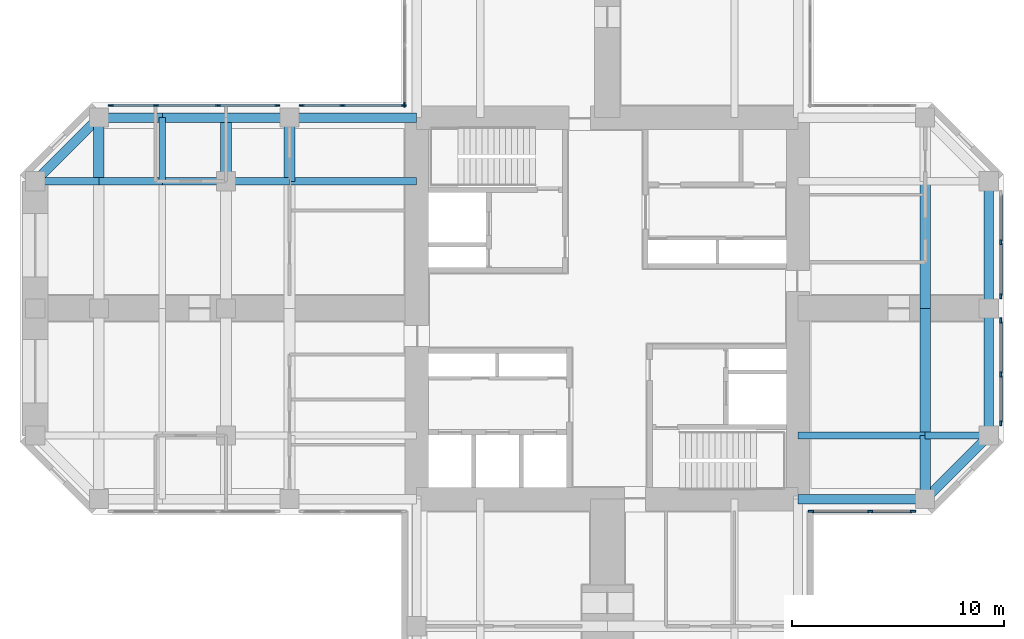
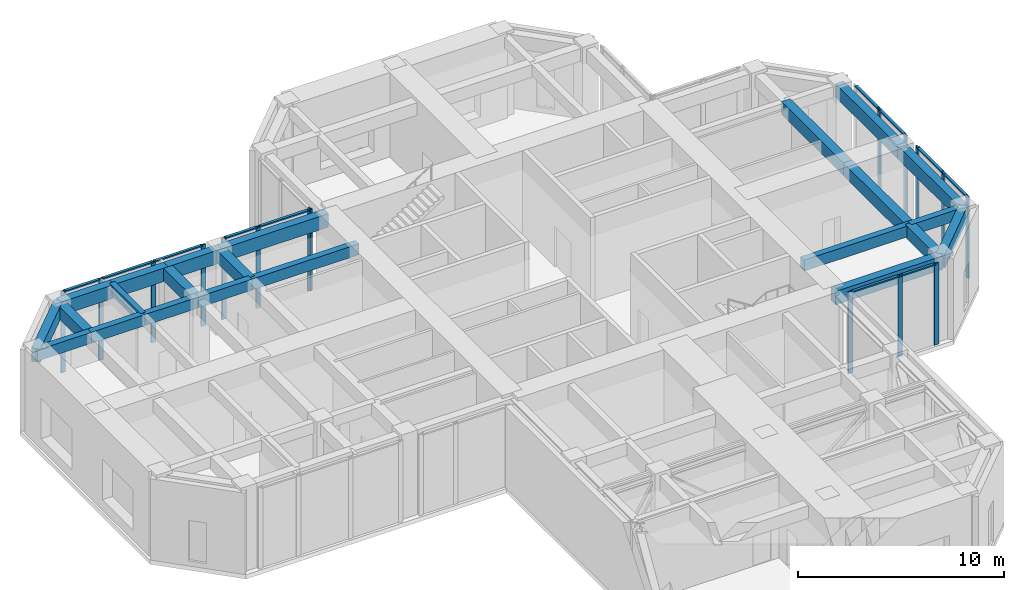
# One storey, part 3 of 10: 27 members, 23 beams, 4 elements without a shape of their own.
"""IFC4 building model written with IfcOpenShell, lengths in metres."""

from ifc_helpers import new_model, si_unit, direction, frame, origin, origin_2d, place, context, subcontext, project, spatial, rectangle, extrude, material, material_profile, profile_set, type_object, element, aggregate, save


model = new_model("IFC4")

# Units and contexts
model_context = context("Model", 3, precision=1e-05, world=origin(), true_north=direction((0.0, 1.0)))
body_context = subcontext(model_context, "Body", "Model", "MODEL_VIEW")
ifc_project = project(units=[si_unit("LENGTHUNIT", "METRE"), si_unit("AREAUNIT", "SQUARE_METRE"), si_unit("VOLUMEUNIT", "CUBIC_METRE"), si_unit("PLANEANGLEUNIT", "RADIAN"), si_unit("MASSUNIT", "GRAM", prefix="KILO")], contexts=[model_context])

# Site, building, storey
site_placement = place(None, origin())
site = spatial("IfcSite", under=ifc_project, at=site_placement, CompositionType="ELEMENT")
building_placement = place(site_placement, origin())
building = spatial("IfcBuilding", under=site, at=building_placement, Name="Torre Cruceta", CompositionType="ELEMENT")
storey_placement = place(building_placement, frame((0.0, 0.0, 217.10009765625)))
storey = spatial("IfcBuildingStorey", under=building, at=storey_placement, Name="L55", CompositionType="ELEMENT", Elevation=217.10009765625)

# Beams
ifc_material_1 = material(Name="Concrete G60 (fck 60 MPa)", Category="concrete")
ifc_material_profile_1 = material_profile(ifc_material_1, rectangle(XDim=0.35009765625, YDim=0.64990234375, at=origin_2d()), Name="RC 350X650")
ifc_profile_set_1 = profile_set([ifc_material_profile_1], Name="Concrete G60 (fck 60 MPa)")
beam_type_1 = type_object("IfcBeamType", Name="COLUMN LINE BEAM RC 350X650", PredefinedType="BEAM", material=ifc_profile_set_1)
beam_1_placement = place(storey_placement, frame((9.0, -6.0, 4.494873046875), z_axis=(1.0, 0.0, 0.0), x_axis=(0.0, 1.0, 0.0)))
element("IfcBeam", 1, at=beam_1_placement, inside=storey, type_object=beam_type_1, Name="LB7 L55 E col- 1", PredefinedType="BEAM", context=body_context, shape_type="SweptSolid", body=[
    extrude(rectangle(XDim=0.35009765625, YDim=0.64990234375, at=origin_2d()), origin(), (0.0, 0.0, 1.0), 6.0),
])
beam_2_placement = place(storey_placement, frame((15.0, -6.0, 4.494873046875), z_axis=(1.0, 0.0, 0.0), x_axis=(0.0, 1.0, 0.0)))
element("IfcBeam", 2, at=beam_2_placement, inside=storey, type_object=beam_type_1, Name="LB7 L55 E col- 2", PredefinedType="BEAM", context=body_context, shape_type="SweptSolid", body=[
    extrude(rectangle(XDim=0.35009765625, YDim=0.64990234375, at=origin_2d()), origin(), (0.0, 0.0, 1.0), 3.0),
])
beam_3_placement = place(storey_placement, frame((-9.0, 6.0, 4.494873046875), z_axis=(-1.0, 0.0, 0.0), x_axis=(0.0, -1.0, 0.0)))
element("IfcBeam", 3, at=beam_3_placement, inside=storey, type_object=beam_type_1, Name="LB7 L55 W col- 1", PredefinedType="BEAM", context=body_context, shape_type="SweptSolid", body=[
    extrude(rectangle(XDim=0.35009765625, YDim=0.64990234375, at=origin_2d()), origin(), (0.0, 0.0, 1.0), 6.0),
])
for number, where, z_axis, x_axis, name in (
    (4, (-15.0, 6.0, 4.494873046875), (-1.0, 0.0, 0.0), (0.0, -1.0, 0.0), "LB7 L55 W col- 2"),
    (5, (-18.0, 6.0, 4.494873046875), (-1.0, 0.0, 0.0), (0.0, -1.0, 0.0), "LB7 L55 W col- 3"),
    (6, (-21.0, 6.0, 4.494873046875), (-1.0, 0.0, 0.0), (0.0, -1.0, 0.0), "LB7 L55 W col- 4"),
    (7, (-24.0, 6.0, 4.494873046875), (-1.0, 0.0, 0.0), (0.0, -1.0, 0.0), "LB7 L55 W col- 5"),
):
    element("IfcBeam", number, at=place(storey_placement, frame(where, z_axis=z_axis, x_axis=x_axis)), inside=storey, type_object=beam_type_1, Name=name, PredefinedType="BEAM", context=body_context, shape_type="SweptSolid", body=[
        extrude(rectangle(XDim=0.35009765625, YDim=0.64990234375, at=origin_2d()), origin(), (0.0, 0.0, 1.0), 3.0),
    ])
ifc_material_2 = material(Name="Concrete G60 (fck 60 MPa)", Category="concrete")
ifc_material_profile_2 = material_profile(ifc_material_2, rectangle(XDim=0.5, YDim=0.75, at=origin_2d()), Name="RC 500X750")
ifc_profile_set_2 = profile_set([ifc_material_profile_2], Name="Concrete G60 (fck 60 MPa)")
beam_type_2 = type_object("IfcBeamType", Name="CROSS BEAM RC 500X750", PredefinedType="BEAM", material=ifc_profile_set_2)
beam_4_placement = place(storey_placement, frame((15.0, -9.0, 4.44482421875), z_axis=(0.0, 1.0, 0.0), x_axis=(-1.0, 0.0, 0.0)))
element("IfcBeam", 8, at=beam_4_placement, inside=storey, type_object=beam_type_2, Name="GB6 L55 E cross15 1", PredefinedType="BEAM", context=body_context, shape_type="SweptSolid", body=[
    extrude(rectangle(XDim=0.5, YDim=0.75, at=origin_2d()), origin(), (0.0, 0.0, 1.0), 3.0),
])
for number, where, z_axis, x_axis, name in (
    (9, (15.0, -6.0, 4.44482421875), (0.0, 1.0, 0.0), (-1.0, 0.0, 0.0), "GB6 L55 E cross15 2"),
    (10, (15.0, 0.0, 4.44482421875), (0.0, 1.0, 0.0), (-1.0, 0.0, 0.0), "GB6 L55 E cross15 3"),
):
    element("IfcBeam", number, at=place(storey_placement, frame(where, z_axis=z_axis, x_axis=x_axis)), inside=storey, type_object=beam_type_2, Name=name, PredefinedType="BEAM", context=body_context, shape_type="SweptSolid", body=[
        extrude(rectangle(XDim=0.5, YDim=0.75, at=origin_2d()), origin(), (0.0, 0.0, 1.0), 6.0),
    ])
for number, where, z_axis, x_axis, name in (
    (11, (-15.0, 9.0, 4.44482421875), (0.0, -1.0, 0.0), (1.0, 0.0, 0.0), "GB6 L55 W cross15 1"),
    (12, (-18.0, 9.0, 4.44482421875), (0.0, -1.0, 0.0), (1.0, 0.0, 0.0), "GB6 L55 W cross18 1"),
    (13, (-24.0, 9.0, 4.44482421875), (0.0, -1.0, 0.0), (1.0, 0.0, 0.0), "GB6 L55 W cross24 1"),
):
    element("IfcBeam", number, at=place(storey_placement, frame(where, z_axis=z_axis, x_axis=x_axis)), inside=storey, type_object=beam_type_2, Name=name, PredefinedType="BEAM", context=body_context, shape_type="SweptSolid", body=[
        extrude(rectangle(XDim=0.5, YDim=0.75, at=origin_2d()), origin(), (0.0, 0.0, 1.0), 3.0),
    ])

# Curtain wall, members
ifc_material_3 = material(Name="Aluminium unitised curtain wall", Category="aluminium")
curtain_wall_type = type_object("IfcCurtainWallType", Name="CURTAIN WALL CW-S SKY GARDEN", PredefinedType="USERDEFINED", material=ifc_material_3)
curtain_wall_1_placement = place(storey_placement, origin())
curtain_wall_1 = element("IfcCurtainWall", 14, at=curtain_wall_1_placement, inside=storey, type_object=curtain_wall_type, Name="CW-S L55 E side 00", ObjectType="UNITISED", PredefinedType="USERDEFINED")
ifc_material_4 = material(Name="Aluminium mullion", Category="aluminium")
ifc_material_profile_3 = material_profile(ifc_material_4, rectangle(XDim=0.080078125, YDim=0.25, at=origin_2d()), Name="AL 80X250")
ifc_profile_set_3 = profile_set([ifc_material_profile_3], Name="Aluminium mullion")
member_type_1 = type_object("IfcMemberType", Name="CW-S MULLION 80X250", PredefinedType="MULLION", material=ifc_profile_set_3)
member_1_placement = place(storey_placement, frame((9.610107421875, -9.570068359375, 0.0), z_axis=(0.0, 0.0, 1.0), x_axis=(0.0, 1.0, 0.0)))
member_1 = element("IfcMember", 15, at=member_1_placement, type_object=member_type_1, Name="CW-S mullion 1", PredefinedType="MULLION", context=body_context, shape_type="SweptSolid", body=[
    extrude(rectangle(XDim=0.080078125, YDim=0.25, at=origin_2d()), origin(), (0.0, 0.0, 1.0), 4.81982421875),
])
member_2_placement = place(storey_placement, frame((12.403076171875, -9.570068359375, 0.0), z_axis=(0.0, 0.0, 1.0), x_axis=(0.0, 1.0, 0.0)))
member_2 = element("IfcMember", 16, at=member_2_placement, type_object=member_type_1, Name="CW-S mullion 2", PredefinedType="MULLION", context=body_context, shape_type="SweptSolid", body=[
    extrude(rectangle(XDim=0.080078125, YDim=0.25, at=origin_2d()), origin(), (0.0, 0.0, 1.0), 4.81982421875),
])
member_3_placement = place(storey_placement, frame((14.424072265625, -9.570068359375, 0.0), z_axis=(0.0, 0.0, 1.0), x_axis=(0.0, 1.0, 0.0)))
member_3 = element("IfcMember", 17, at=member_3_placement, type_object=member_type_1, Name="CW-S mullion 3", PredefinedType="MULLION", context=body_context, shape_type="SweptSolid", body=[
    extrude(rectangle(XDim=0.080078125, YDim=0.25, at=origin_2d()), origin(), (0.0, 0.0, 1.0), 4.81982421875),
])

curtain_wall_2_placement = place(storey_placement, origin())
curtain_wall_2 = element("IfcCurtainWall", 18, at=curtain_wall_2_placement, inside=storey, type_object=curtain_wall_type, Name="CW-S L55 E tip 02", ObjectType="UNITISED", PredefinedType="USERDEFINED")
member_4_placement = place(storey_placement, frame((18.570068359375, -5.424072265625, 0.0), z_axis=(0.0, 0.0, 1.0), x_axis=(-1.0, 0.0, 0.0)))
member_4 = element("IfcMember", 19, at=member_4_placement, type_object=member_type_1, Name="CW-S mullion 1", PredefinedType="MULLION", context=body_context, shape_type="SweptSolid", body=[
    extrude(rectangle(XDim=0.080078125, YDim=0.25, at=origin_2d()), origin(), (0.0, 0.0, 1.0), 4.81982421875),
])
member_5_placement = place(storey_placement, frame((18.570068359375, -3.1181640625, 0.0), z_axis=(0.0, 0.0, 1.0), x_axis=(-1.0, 0.0, 0.0)))
member_5 = element("IfcMember", 20, at=member_5_placement, type_object=member_type_1, Name="CW-S mullion 2", PredefinedType="MULLION", context=body_context, shape_type="SweptSolid", body=[
    extrude(rectangle(XDim=0.080078125, YDim=0.25, at=origin_2d()), origin(), (0.0, 0.0, 1.0), 4.81982421875),
])
member_6_placement = place(storey_placement, frame((18.570068359375, -0.575927734375, 0.0), z_axis=(0.0, 0.0, 1.0), x_axis=(-1.0, 0.0, 0.0)))
member_6 = element("IfcMember", 21, at=member_6_placement, type_object=member_type_1, Name="CW-S mullion 3", PredefinedType="MULLION", context=body_context, shape_type="SweptSolid", body=[
    extrude(rectangle(XDim=0.080078125, YDim=0.25, at=origin_2d()), origin(), (0.0, 0.0, 1.0), 4.81982421875),
])
member_7_placement = place(storey_placement, frame((18.570068359375, 0.575927734375, 0.0), z_axis=(0.0, 0.0, 1.0), x_axis=(-1.0, 0.0, 0.0)))
member_7 = element("IfcMember", 22, at=member_7_placement, type_object=member_type_1, Name="CW-S mullion 4", PredefinedType="MULLION", context=body_context, shape_type="SweptSolid", body=[
    extrude(rectangle(XDim=0.080078125, YDim=0.25, at=origin_2d()), origin(), (0.0, 0.0, 1.0), 4.81982421875),
])
member_8_placement = place(storey_placement, frame((18.570068359375, 3.1181640625, 0.0), z_axis=(0.0, 0.0, 1.0), x_axis=(-1.0, 0.0, 0.0)))
member_8 = element("IfcMember", 23, at=member_8_placement, type_object=member_type_1, Name="CW-S mullion 5", PredefinedType="MULLION", context=body_context, shape_type="SweptSolid", body=[
    extrude(rectangle(XDim=0.080078125, YDim=0.25, at=origin_2d()), origin(), (0.0, 0.0, 1.0), 4.81982421875),
])

# Curtain wall, member
curtain_wall_3_placement = place(storey_placement, origin())
curtain_wall_3 = element("IfcCurtainWall", 24, at=curtain_wall_3_placement, inside=storey, type_object=curtain_wall_type, Name="CW-S L55 N side 09", ObjectType="UNITISED", PredefinedType="USERDEFINED")
member_9_placement = place(storey_placement, frame((-9.570068359375, 9.610107421875, 0.0), z_axis=(0.0, 0.0, 1.0), x_axis=(1.0, 0.0, 0.0)))
member_9 = element("IfcMember", 25, at=member_9_placement, type_object=member_type_1, Name="CW-S mullion 3", PredefinedType="MULLION", context=body_context, shape_type="SweptSolid", body=[
    extrude(rectangle(XDim=0.080078125, YDim=0.25, at=origin_2d()), origin(), (0.0, 0.0, 1.0), 4.81982421875),
])
aggregate(curtain_wall_3, [member_9])

# Curtain wall, members
curtain_wall_4_placement = place(storey_placement, origin())
curtain_wall_4 = element("IfcCurtainWall", 26, at=curtain_wall_4_placement, inside=storey, type_object=curtain_wall_type, Name="CW-S L55 W side 10", ObjectType="UNITISED", PredefinedType="USERDEFINED")
member_10_placement = place(storey_placement, frame((-9.610107421875, 9.570068359375, 0.0), z_axis=(0.0, 0.0, 1.0), x_axis=(0.0, -1.0, 0.0)))
member_10 = element("IfcMember", 27, at=member_10_placement, type_object=member_type_1, Name="CW-S mullion 1", PredefinedType="MULLION", context=body_context, shape_type="SweptSolid", body=[
    extrude(rectangle(XDim=0.080078125, YDim=0.25, at=origin_2d()), origin(), (0.0, 0.0, 1.0), 4.81982421875),
])
member_11_placement = place(storey_placement, frame((-12.503173828125, 9.570068359375, 0.0), z_axis=(0.0, 0.0, 1.0), x_axis=(0.0, -1.0, 0.0)))
member_11 = element("IfcMember", 28, at=member_11_placement, type_object=member_type_1, Name="CW-S mullion 2", PredefinedType="MULLION", context=body_context, shape_type="SweptSolid", body=[
    extrude(rectangle(XDim=0.080078125, YDim=0.25, at=origin_2d()), origin(), (0.0, 0.0, 1.0), 4.81982421875),
])
member_12_placement = place(storey_placement, frame((-14.424072265625, 9.570068359375, 0.0), z_axis=(0.0, 0.0, 1.0), x_axis=(0.0, -1.0, 0.0)))
member_12 = element("IfcMember", 29, at=member_12_placement, type_object=member_type_1, Name="CW-S mullion 3", PredefinedType="MULLION", context=body_context, shape_type="SweptSolid", body=[
    extrude(rectangle(XDim=0.080078125, YDim=0.25, at=origin_2d()), origin(), (0.0, 0.0, 1.0), 4.81982421875),
])
member_13_placement = place(storey_placement, frame((-15.575927734375, 9.570068359375, 0.0), z_axis=(0.0, 0.0, 1.0), x_axis=(0.0, -1.0, 0.0)))
member_13 = element("IfcMember", 30, at=member_13_placement, type_object=member_type_1, Name="CW-S mullion 4", PredefinedType="MULLION", context=body_context, shape_type="SweptSolid", body=[
    extrude(rectangle(XDim=0.080078125, YDim=0.25, at=origin_2d()), origin(), (0.0, 0.0, 1.0), 4.81982421875),
])
member_14_placement = place(storey_placement, frame((-18.36962890625, 9.570068359375, 0.0), z_axis=(0.0, 0.0, 1.0), x_axis=(0.0, -1.0, 0.0)))
member_14 = element("IfcMember", 31, at=member_14_placement, type_object=member_type_1, Name="CW-S mullion 5", PredefinedType="MULLION", context=body_context, shape_type="SweptSolid", body=[
    extrude(rectangle(XDim=0.080078125, YDim=0.25, at=origin_2d()), origin(), (0.0, 0.0, 1.0), 4.81982421875),
])
member_15_placement = place(storey_placement, frame((-21.302978515625, 9.570068359375, 0.0), z_axis=(0.0, 0.0, 1.0), x_axis=(0.0, -1.0, 0.0)))
member_15 = element("IfcMember", 32, at=member_15_placement, type_object=member_type_1, Name="CW-S mullion 6", PredefinedType="MULLION", context=body_context, shape_type="SweptSolid", body=[
    extrude(rectangle(XDim=0.080078125, YDim=0.25, at=origin_2d()), origin(), (0.0, 0.0, 1.0), 4.81982421875),
])
member_16_placement = place(storey_placement, frame((-23.424072265625, 9.570068359375, 0.0), z_axis=(0.0, 0.0, 1.0), x_axis=(0.0, -1.0, 0.0)))
member_16 = element("IfcMember", 33, at=member_16_placement, type_object=member_type_1, Name="CW-S mullion 7", PredefinedType="MULLION", context=body_context, shape_type="SweptSolid", body=[
    extrude(rectangle(XDim=0.080078125, YDim=0.25, at=origin_2d()), origin(), (0.0, 0.0, 1.0), 4.81982421875),
])

# Member
ifc_material_5 = material(Name="Aluminium transom", Category="aluminium")
ifc_material_profile_4 = material_profile(ifc_material_5, rectangle(XDim=0.14990234375, YDim=0.080078125, at=origin_2d()), Name="AL 150X80")
ifc_profile_set_4 = profile_set([ifc_material_profile_4], Name="Aluminium transom")
member_type_2 = type_object("IfcMemberType", Name="CW-S TRANSOM 80X150", PredefinedType="USERDEFINED", material=ifc_profile_set_4)
member_17_placement = place(storey_placement, frame((9.64990234375, -9.570068359375, 4.77978515625), z_axis=(1.0, 0.0, 0.0), x_axis=(0.0, 1.0, 0.0)))
member_17 = element("IfcMember", 34, at=member_17_placement, type_object=member_type_2, Name="CW-S transom 1", ObjectType="TRANSOM", PredefinedType="USERDEFINED", context=body_context, shape_type="SweptSolid", body=[
    extrude(rectangle(XDim=0.14990234375, YDim=0.080078125, at=origin_2d()), origin(), (0.0, 0.0, 1.0), 2.713134765625),
])

member_18_placement = place(storey_placement, frame((12.443115234375, -9.570068359375, 4.77978515625), z_axis=(1.0, 0.0, 0.0), x_axis=(0.0, 1.0, 0.0)))
member_18 = element("IfcMember", 35, at=member_18_placement, type_object=member_type_2, Name="CW-S transom 2", ObjectType="TRANSOM", PredefinedType="USERDEFINED", context=body_context, shape_type="SweptSolid", body=[
    extrude(rectangle(XDim=0.14990234375, YDim=0.080078125, at=origin_2d()), origin(), (0.0, 0.0, 1.0), 1.94091796875),
])

aggregate(curtain_wall_1, [member_1, member_2, member_3, member_17, member_18])

member_19_placement = place(storey_placement, frame((18.570068359375, -5.384033203125, 4.77978515625), z_axis=(0.0, 1.0, 0.0), x_axis=(-1.0, 0.0, 0.0)))
member_19 = element("IfcMember", 36, at=member_19_placement, type_object=member_type_2, Name="CW-S transom 1", ObjectType="TRANSOM", PredefinedType="USERDEFINED", context=body_context, shape_type="SweptSolid", body=[
    extrude(rectangle(XDim=0.14990234375, YDim=0.080078125, at=origin_2d()), origin(), (0.0, 0.0, 1.0), 2.22607421875),
])

member_20_placement = place(storey_placement, frame((18.570068359375, -3.078125, 4.77978515625), z_axis=(0.0, 1.0, 0.0), x_axis=(-1.0, 0.0, 0.0)))
member_20 = element("IfcMember", 37, at=member_20_placement, type_object=member_type_2, Name="CW-S transom 2", ObjectType="TRANSOM", PredefinedType="USERDEFINED", context=body_context, shape_type="SweptSolid", body=[
    extrude(rectangle(XDim=0.14990234375, YDim=0.080078125, at=origin_2d()), origin(), (0.0, 0.0, 1.0), 2.462158203125),
])

member_21_placement = place(storey_placement, frame((18.570068359375, 0.615966796875, 4.77978515625), z_axis=(0.0, 1.0, 0.0), x_axis=(-1.0, 0.0, 0.0)))
member_21 = element("IfcMember", 38, at=member_21_placement, type_object=member_type_2, Name="CW-S transom 3", ObjectType="TRANSOM", PredefinedType="USERDEFINED", context=body_context, shape_type="SweptSolid", body=[
    extrude(rectangle(XDim=0.14990234375, YDim=0.080078125, at=origin_2d()), origin(), (0.0, 0.0, 1.0), 2.462158203125),
])

member_22_placement = place(storey_placement, frame((18.570068359375, 3.157958984375, 4.77978515625), z_axis=(0.0, 1.0, 0.0), x_axis=(-1.0, 0.0, 0.0)))
member_22 = element("IfcMember", 39, at=member_22_placement, type_object=member_type_2, Name="CW-S transom 4", ObjectType="TRANSOM", PredefinedType="USERDEFINED", context=body_context, shape_type="SweptSolid", body=[
    extrude(rectangle(XDim=0.14990234375, YDim=0.080078125, at=origin_2d()), origin(), (0.0, 0.0, 1.0), 2.22607421875),
])

aggregate(curtain_wall_2, [member_4, member_5, member_6, member_7, member_8, member_19, member_20, member_21, member_22])

member_23_placement = place(storey_placement, frame((-9.64990234375, 9.570068359375, 4.77978515625), z_axis=(-1.0, 0.0, 0.0), x_axis=(0.0, -1.0, 0.0)))
member_23 = element("IfcMember", 40, at=member_23_placement, type_object=member_type_2, Name="CW-S transom 1", ObjectType="TRANSOM", PredefinedType="USERDEFINED", context=body_context, shape_type="SweptSolid", body=[
    extrude(rectangle(XDim=0.14990234375, YDim=0.080078125, at=origin_2d()), origin(), (0.0, 0.0, 1.0), 2.813232421875),
])

member_24_placement = place(storey_placement, frame((-12.543212890625, 9.570068359375, 4.77978515625), z_axis=(-1.0, 0.0, 0.0), x_axis=(0.0, -1.0, 0.0)))
member_24 = element("IfcMember", 41, at=member_24_placement, type_object=member_type_2, Name="CW-S transom 2", ObjectType="TRANSOM", PredefinedType="USERDEFINED", context=body_context, shape_type="SweptSolid", body=[
    extrude(rectangle(XDim=0.14990234375, YDim=0.080078125, at=origin_2d()), origin(), (0.0, 0.0, 1.0), 1.8408203125),
])

member_25_placement = place(storey_placement, frame((-15.615966796875, 9.570068359375, 4.77978515625), z_axis=(-1.0, 0.0, 0.0), x_axis=(0.0, -1.0, 0.0)))
member_25 = element("IfcMember", 42, at=member_25_placement, type_object=member_type_2, Name="CW-S transom 3", ObjectType="TRANSOM", PredefinedType="USERDEFINED", context=body_context, shape_type="SweptSolid", body=[
    extrude(rectangle(XDim=0.14990234375, YDim=0.080078125, at=origin_2d()), origin(), (0.0, 0.0, 1.0), 2.713623046875),
])

member_26_placement = place(storey_placement, frame((-18.40966796875, 9.570068359375, 4.77978515625), z_axis=(-1.0, 0.0, 0.0), x_axis=(0.0, -1.0, 0.0)))
member_26 = element("IfcMember", 43, at=member_26_placement, type_object=member_type_2, Name="CW-S transom 4", ObjectType="TRANSOM", PredefinedType="USERDEFINED", context=body_context, shape_type="SweptSolid", body=[
    extrude(rectangle(XDim=0.14990234375, YDim=0.080078125, at=origin_2d()), origin(), (0.0, 0.0, 1.0), 2.853271484375),
])

member_27_placement = place(storey_placement, frame((-21.3427734375, 9.570068359375, 4.77978515625), z_axis=(-1.0, 0.0, 0.0), x_axis=(0.0, -1.0, 0.0)))
member_27 = element("IfcMember", 44, at=member_27_placement, type_object=member_type_2, Name="CW-S transom 5", ObjectType="TRANSOM", PredefinedType="USERDEFINED", context=body_context, shape_type="SweptSolid", body=[
    extrude(rectangle(XDim=0.14990234375, YDim=0.080078125, at=origin_2d()), origin(), (0.0, 0.0, 1.0), 2.041259765625),
])

aggregate(curtain_wall_4, [member_10, member_11, member_12, member_13, member_14, member_15, member_16, member_23, member_24, member_25, member_26, member_27])

# Beams
ifc_material_6 = material(Name="Concrete G60 (fck 60 MPa)", Category="concrete")
ifc_material_profile_5 = material_profile(ifc_material_6, rectangle(XDim=0.300048828125, YDim=0.60009765625, at=origin_2d()), Name="RC 300X600")
ifc_profile_set_5 = profile_set([ifc_material_profile_5], Name="Concrete G60 (fck 60 MPa)")
beam_type_3 = type_object("IfcBeamType", Name="SECONDARY BEAM RC 300X600", PredefinedType="JOIST", material=ifc_profile_set_5)
beam_5_placement = place(storey_placement, frame((-21.0, 9.0, 4.52001953125), z_axis=(0.0, -1.0, 0.0), x_axis=(1.0, 0.0, 0.0)))
element("IfcBeam", 45, at=beam_5_placement, inside=storey, type_object=beam_type_3, Name="JB6 L55 W sec21 1", PredefinedType="JOIST", context=body_context, shape_type="SweptSolid", body=[
    extrude(rectangle(XDim=0.300048828125, YDim=0.60009765625, at=origin_2d()), origin(), (0.0, 0.0, 1.0), 3.0),
])
ifc_material_7 = material(Name="Concrete G60 (fck 60 MPa)", Category="concrete")
ifc_material_profile_6 = material_profile(ifc_material_7, rectangle(XDim=0.449951171875, YDim=0.800048828125, at=origin_2d()), Name="RC 450X800")
ifc_profile_set_6 = profile_set([ifc_material_profile_6], Name="Concrete G60 (fck 60 MPa)")
beam_type_4 = type_object("IfcBeamType", Name="SPANDREL BEAM RC 450X800", PredefinedType="SPANDREL", material=ifc_profile_set_6)
beam_6_placement = place(storey_placement, frame((9.0, -9.0, 4.419921875), z_axis=(1.0, 0.0, 0.0), x_axis=(0.0, 1.0, 0.0)))
element("IfcBeam", 46, at=beam_6_placement, inside=storey, type_object=beam_type_4, Name="SB6 L55 E side- 1", PredefinedType="SPANDREL", context=body_context, shape_type="SweptSolid", body=[
    extrude(rectangle(XDim=0.449951171875, YDim=0.800048828125, at=origin_2d()), origin(), (0.0, 0.0, 1.0), 6.0),
])
beam_7_placement = place(storey_placement, frame((15.0, -9.0, 4.419921875), z_axis=(0.707106781187, 0.707106781187, 0.0), x_axis=(-0.707106781187, 0.707106781187, 0.0)))
element("IfcBeam", 47, at=beam_7_placement, inside=storey, type_object=beam_type_4, Name="SB6 L55 E side- 2", PredefinedType="SPANDREL", context=body_context, shape_type="SweptSolid", body=[
    extrude(rectangle(XDim=0.449951171875, YDim=0.800048828125, at=origin_2d()), origin(), (0.0, 0.0, 1.0), 4.24267578125),
])
for number, where, z_axis, x_axis, name in (
    (48, (18.0, -6.0, 4.419921875), (0.0, 1.0, 0.0), (-1.0, 0.0, 0.0), "SB6 L55 E tip 1"),
    (49, (18.0, 0.0, 4.419921875), (0.0, 1.0, 0.0), (-1.0, 0.0, 0.0), "SB6 L55 E tip 2"),
    (50, (-9.0, 9.0, 4.419921875), (-1.0, 0.0, 0.0), (0.0, -1.0, 0.0), "SB6 L55 W side- 1"),
):
    element("IfcBeam", number, at=place(storey_placement, frame(where, z_axis=z_axis, x_axis=x_axis)), inside=storey, type_object=beam_type_4, Name=name, PredefinedType="SPANDREL", context=body_context, shape_type="SweptSolid", body=[
        extrude(rectangle(XDim=0.449951171875, YDim=0.800048828125, at=origin_2d()), origin(), (0.0, 0.0, 1.0), 6.0),
    ])
for number, where, z_axis, x_axis, name in (
    (51, (-15.0, 9.0, 4.419921875), (-1.0, 0.0, 0.0), (0.0, -1.0, 0.0), "SB6 L55 W side- 2"),
    (52, (-18.0, 9.0, 4.419921875), (-1.0, 0.0, 0.0), (0.0, -1.0, 0.0), "SB6 L55 W side- 3"),
    (53, (-21.0, 9.0, 4.419921875), (-1.0, 0.0, 0.0), (0.0, -1.0, 0.0), "SB6 L55 W side- 4"),
):
    element("IfcBeam", number, at=place(storey_placement, frame(where, z_axis=z_axis, x_axis=x_axis)), inside=storey, type_object=beam_type_4, Name=name, PredefinedType="SPANDREL", context=body_context, shape_type="SweptSolid", body=[
        extrude(rectangle(XDim=0.449951171875, YDim=0.800048828125, at=origin_2d()), origin(), (0.0, 0.0, 1.0), 3.0),
    ])
beam_8_placement = place(storey_placement, frame((-24.0, 9.0, 4.419921875), z_axis=(-0.707106781187, -0.707106781187, 0.0), x_axis=(0.707106781187, -0.707106781187, 0.0)))
element("IfcBeam", 54, at=beam_8_placement, inside=storey, type_object=beam_type_4, Name="SB6 L55 W side- 5", PredefinedType="SPANDREL", context=body_context, shape_type="SweptSolid", body=[
    extrude(rectangle(XDim=0.449951171875, YDim=0.800048828125, at=origin_2d()), origin(), (0.0, 0.0, 1.0), 4.24267578125),
])

save(model, "model.ifc")
